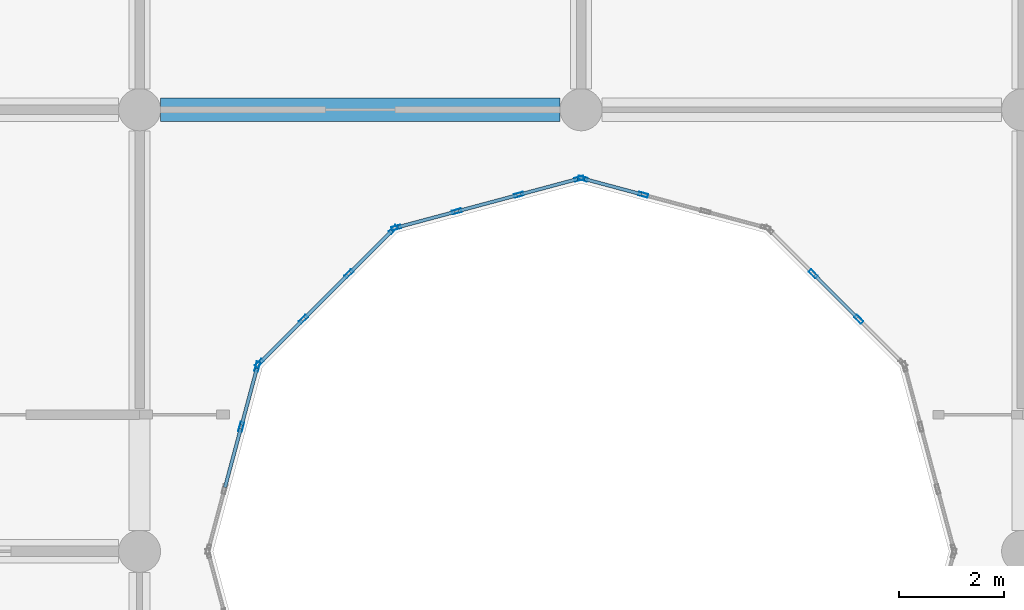
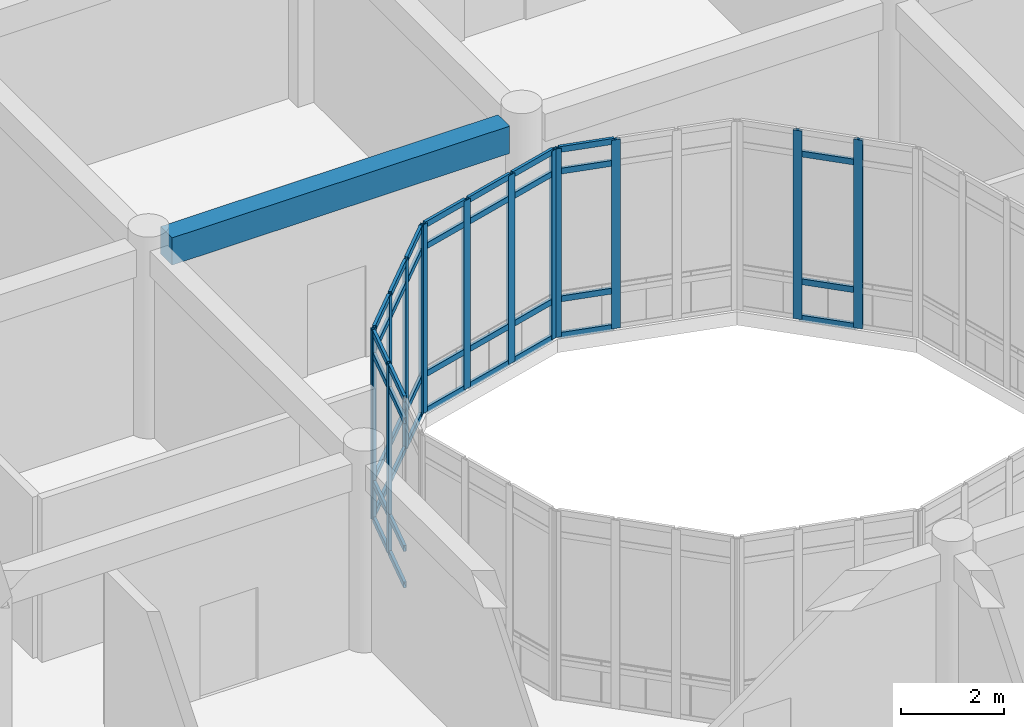
# One storey, part 39 of 138: 53 members, 1 beam, 5 elements without a shape of their own.
"""IFC4 building model written with IfcOpenShell, lengths in metres."""

from ifc_helpers import new_model, si_unit, direction, frame, origin, origin_2d, place, context, subcontext, project, spatial, rectangle, hollow_rectangle, extrude, material, layer, layer_set, material_profile, profile_set, type_object, element, aggregate, save


model = new_model("IFC4")

# Units and contexts
model_context = context("Model", 3, precision=1e-05, world=origin(), true_north=direction((0.0, 1.0)))
body_context = subcontext(model_context, "Body", "Model", "MODEL_VIEW")
ifc_project = project(units=[si_unit("LENGTHUNIT", "METRE"), si_unit("AREAUNIT", "SQUARE_METRE"), si_unit("VOLUMEUNIT", "CUBIC_METRE"), si_unit("PLANEANGLEUNIT", "RADIAN"), si_unit("MASSUNIT", "GRAM", prefix="KILO")], contexts=[model_context])

# Site, building, storey
site_placement = place(None, origin())
site = spatial("IfcSite", under=ifc_project, at=site_placement, CompositionType="ELEMENT")
building_placement = place(site_placement, origin())
building = spatial("IfcBuilding", under=site, at=building_placement, Name="Bramfleet General Hospital", CompositionType="ELEMENT")
storey_placement = place(building_placement, origin())
storey = spatial("IfcBuildingStorey", under=building, at=storey_placement, Name="L00", CompositionType="ELEMENT", Elevation=0.0)

# Beam
ifc_material_1 = material(Name="Concrete C35/45", Category="concrete")
ifc_material_profile_1 = material_profile(ifc_material_1, rectangle(XDim=0.449951171875, YDim=0.64990234375, at=origin_2d()), Name="RC BM 650x450")
ifc_profile_set_1 = profile_set([ifc_material_profile_1], Name="Concrete C35/45")
beam_type = type_object("IfcBeamType", Name="BM-RC650", PredefinedType="BEAM", material=ifc_profile_set_1)
beam_placement = place(storey_placement, frame((76.0, 84.0, 4.175048828125), z_axis=(1.0, 0.0, 0.0), x_axis=(0.0, 1.0, 0.0)))
element("IfcBeam", 1, at=beam_placement, inside=storey, type_object=beam_type, Name="L00 Grid Beam X 09-10", PredefinedType="BEAM", context=body_context, shape_type="SweptSolid", body=[
    extrude(rectangle(XDim=0.449951171875, YDim=0.64990234375, at=origin_2d()), origin(), (0.0, 0.0, 1.0), 7.60009765625),
])

# Curtain wall, members
ifc_material_2 = material(Name="Anodised aluminium and low-E triple glazing", Category="aluminium")
ifc_layer_1 = layer(ifc_material_2, 0.179931640625, Name="CWT-CW-16")
ifc_layer_set_1 = layer_set([ifc_layer_1], Name="Anodised aluminium and low-E triple glazing")
curtain_wall_type_1 = type_object("IfcCurtainWallType", Name="CWT-CW-16", PredefinedType="USERDEFINED", material=ifc_layer_set_1)
curtain_wall_1_placement = place(storey_placement, origin())
curtain_wall_1 = element("IfcCurtainWall", 2, at=curtain_wall_1_placement, inside=storey, type_object=curtain_wall_type_1, Name="L00 Central Diagnostic Light Court Curtain Wall 8.1", ObjectType="Stick curtain wall", PredefinedType="USERDEFINED")
ifc_material_3 = material(Name="Anodised aluminium EN AW-6060", Category="aluminium")
ifc_material_profile_2 = material_profile(ifc_material_3, hollow_rectangle(XDim=0.070068359375, YDim=0.179931640625, WallThickness=0.00390625, at=origin_2d()), Name="ALU 180x70x4.0")
ifc_profile_set_2 = profile_set([ifc_material_profile_2], Name="Anodised aluminium EN AW-6060")
member_type_1 = type_object("IfcMemberType", Name="CWM-ALU180", PredefinedType="MULLION", material=ifc_profile_set_2)
member_1_placement = place(storey_placement, frame((89.28271484375, 80.016357421875, 0.0), z_axis=(0.0, 0.0, 1.0), x_axis=(-0.707106781187, -0.707106781187, 0.0)))
member_1 = element("IfcMember", 3, at=member_1_placement, type_object=member_type_1, Name="CW-16 mullion 2", PredefinedType="MULLION", context=body_context, shape_type="SweptSolid", body=[
    extrude(hollow_rectangle(XDim=0.070068359375, YDim=0.179931640625, WallThickness=0.00390625, at=origin_2d()), origin(), (0.0, 0.0, 1.0), 4.489990234375),
])
member_2_placement = place(storey_placement, frame((88.416259765625, 80.882568359375, 0.0), z_axis=(0.0, 0.0, 1.0), x_axis=(-0.707106781187, -0.707106781187, 0.0)))
member_2 = element("IfcMember", 4, at=member_2_placement, type_object=member_type_1, Name="CW-16 mullion 3", PredefinedType="MULLION", context=body_context, shape_type="SweptSolid", body=[
    extrude(hollow_rectangle(XDim=0.070068359375, YDim=0.179931640625, WallThickness=0.00390625, at=origin_2d()), origin(), (0.0, 0.0, 1.0), 4.489990234375),
])

ifc_layer_2 = layer(ifc_material_2, 0.179931640625, Name="CWT-CW-17")
ifc_layer_set_2 = layer_set([ifc_layer_2], Name="Anodised aluminium and low-E triple glazing")
curtain_wall_type_2 = type_object("IfcCurtainWallType", Name="CWT-CW-17", PredefinedType="USERDEFINED", material=ifc_layer_set_2)
curtain_wall_2_placement = place(storey_placement, origin())
curtain_wall_2 = element("IfcCurtainWall", 5, at=curtain_wall_2_placement, inside=storey, type_object=curtain_wall_type_2, Name="L00 Central Diagnostic Light Court Curtain Wall 9.1", ObjectType="Stick curtain wall", PredefinedType="USERDEFINED")
member_3_placement = place(storey_placement, frame((85.183349609375, 82.383056640625, 0.0), z_axis=(0.0, 0.0, 1.0), x_axis=(-0.258763286618, -0.965940765005, 0.0)))
member_3 = element("IfcMember", 6, at=member_3_placement, type_object=member_type_1, Name="CW-17 mullion 3", PredefinedType="MULLION", context=body_context, shape_type="SweptSolid", body=[
    extrude(hollow_rectangle(XDim=0.070068359375, YDim=0.179931640625, WallThickness=0.00390625, at=origin_2d()), origin(), (0.0, 0.0, 1.0), 4.489990234375),
])
member_4_placement = place(storey_placement, frame((84.03369140625, 82.69091796875, 0.0), z_axis=(0.0, 0.0, 1.0), x_axis=(-0.258763286618, -0.965940765005, 0.0)))
member_4 = element("IfcMember", 7, at=member_4_placement, type_object=member_type_1, Name="CW-17 mullion 4", PredefinedType="MULLION", context=body_context, shape_type="SweptSolid", body=[
    extrude(hollow_rectangle(XDim=0.070068359375, YDim=0.179931640625, WallThickness=0.00390625, at=origin_2d()), origin(), (0.0, 0.0, 1.0), 4.489990234375),
])

ifc_layer_3 = layer(ifc_material_2, 0.179931640625, Name="CWT-CW-18")
ifc_layer_set_3 = layer_set([ifc_layer_3], Name="Anodised aluminium and low-E triple glazing")
curtain_wall_type_3 = type_object("IfcCurtainWallType", Name="CWT-CW-18", PredefinedType="USERDEFINED", material=ifc_layer_set_3)
curtain_wall_3_placement = place(storey_placement, origin())
curtain_wall_3 = element("IfcCurtainWall", 8, at=curtain_wall_3_placement, inside=storey, type_object=curtain_wall_type_3, Name="L00 Central Diagnostic Light Court Curtain Wall 10.1", ObjectType="Stick curtain wall", PredefinedType="USERDEFINED")
member_5_placement = place(storey_placement, frame((83.96630859375, 82.69091796875, 0.0), z_axis=(0.0, 0.0, 1.0), x_axis=(0.258763286618, -0.965940765005, 0.0)))
member_5 = element("IfcMember", 9, at=member_5_placement, type_object=member_type_1, Name="CW-18 mullion 1", PredefinedType="MULLION", context=body_context, shape_type="SweptSolid", body=[
    extrude(hollow_rectangle(XDim=0.070068359375, YDim=0.179931640625, WallThickness=0.00390625, at=origin_2d()), origin(), (0.0, 0.0, 1.0), 4.489990234375),
])
member_6_placement = place(storey_placement, frame((82.816650390625, 82.383056640625, 0.0), z_axis=(0.0, 0.0, 1.0), x_axis=(0.258763286618, -0.965940765005, 0.0)))
member_6 = element("IfcMember", 10, at=member_6_placement, type_object=member_type_1, Name="CW-18 mullion 2", PredefinedType="MULLION", context=body_context, shape_type="SweptSolid", body=[
    extrude(hollow_rectangle(XDim=0.070068359375, YDim=0.179931640625, WallThickness=0.00390625, at=origin_2d()), origin(), (0.0, 0.0, 1.0), 4.489990234375),
])
member_7_placement = place(storey_placement, frame((81.63330078125, 82.06591796875, 0.0), z_axis=(0.0, 0.0, 1.0), x_axis=(0.258763286618, -0.965940765005, 0.0)))
member_7 = element("IfcMember", 11, at=member_7_placement, type_object=member_type_1, Name="CW-18 mullion 3", PredefinedType="MULLION", context=body_context, shape_type="SweptSolid", body=[
    extrude(hollow_rectangle(XDim=0.070068359375, YDim=0.179931640625, WallThickness=0.00390625, at=origin_2d()), origin(), (0.0, 0.0, 1.0), 4.489990234375),
])
member_8_placement = place(storey_placement, frame((80.48388671875, 81.758056640625, 0.0), z_axis=(0.0, 0.0, 1.0), x_axis=(0.258763286618, -0.965940765005, 0.0)))
member_8 = element("IfcMember", 12, at=member_8_placement, type_object=member_type_1, Name="CW-18 mullion 4", PredefinedType="MULLION", context=body_context, shape_type="SweptSolid", body=[
    extrude(hollow_rectangle(XDim=0.070068359375, YDim=0.179931640625, WallThickness=0.00390625, at=origin_2d()), origin(), (0.0, 0.0, 1.0), 4.489990234375),
])

ifc_layer_4 = layer(ifc_material_2, 0.179931640625, Name="CWT-CW-11")
ifc_layer_set_4 = layer_set([ifc_layer_4], Name="Anodised aluminium and low-E triple glazing")
curtain_wall_type_4 = type_object("IfcCurtainWallType", Name="CWT-CW-11", PredefinedType="USERDEFINED", material=ifc_layer_set_4)
curtain_wall_4_placement = place(storey_placement, origin())
curtain_wall_4 = element("IfcCurtainWall", 13, at=curtain_wall_4_placement, inside=storey, type_object=curtain_wall_type_4, Name="L00 Central Diagnostic Light Court Curtain Wall 11.1", ObjectType="Stick curtain wall", PredefinedType="USERDEFINED")
member_9_placement = place(storey_placement, frame((80.42529296875, 81.724365234375, 0.0), z_axis=(0.0, 0.0, 1.0), x_axis=(0.707106781187, -0.707106781187, 0.0)))
member_9 = element("IfcMember", 14, at=member_9_placement, type_object=member_type_1, Name="CW-11 mullion 1", PredefinedType="MULLION", context=body_context, shape_type="SweptSolid", body=[
    extrude(hollow_rectangle(XDim=0.070068359375, YDim=0.179931640625, WallThickness=0.00390625, at=origin_2d()), origin(), (0.0, 0.0, 1.0), 4.489990234375),
])
member_10_placement = place(storey_placement, frame((79.583740234375, 80.882568359375, 0.0), z_axis=(0.0, 0.0, 1.0), x_axis=(0.707106781187, -0.707106781187, 0.0)))
member_10 = element("IfcMember", 15, at=member_10_placement, type_object=member_type_1, Name="CW-11 mullion 2", PredefinedType="MULLION", context=body_context, shape_type="SweptSolid", body=[
    extrude(hollow_rectangle(XDim=0.070068359375, YDim=0.179931640625, WallThickness=0.00390625, at=origin_2d()), origin(), (0.0, 0.0, 1.0), 4.489990234375),
])
member_11_placement = place(storey_placement, frame((78.71728515625, 80.016357421875, 0.0), z_axis=(0.0, 0.0, 1.0), x_axis=(0.707106781187, -0.707106781187, 0.0)))
member_11 = element("IfcMember", 16, at=member_11_placement, type_object=member_type_1, Name="CW-11 mullion 3", PredefinedType="MULLION", context=body_context, shape_type="SweptSolid", body=[
    extrude(hollow_rectangle(XDim=0.070068359375, YDim=0.179931640625, WallThickness=0.00390625, at=origin_2d()), origin(), (0.0, 0.0, 1.0), 4.489990234375),
])
member_12_placement = place(storey_placement, frame((77.875732421875, 79.1748046875, 0.0), z_axis=(0.0, 0.0, 1.0), x_axis=(0.707106781187, -0.707106781187, 0.0)))
member_12 = element("IfcMember", 17, at=member_12_placement, type_object=member_type_1, Name="CW-11 mullion 4", PredefinedType="MULLION", context=body_context, shape_type="SweptSolid", body=[
    extrude(hollow_rectangle(XDim=0.070068359375, YDim=0.179931640625, WallThickness=0.00390625, at=origin_2d()), origin(), (0.0, 0.0, 1.0), 4.489990234375),
])

ifc_layer_5 = layer(ifc_material_2, 0.179931640625, Name="CWT-CW-12")
ifc_layer_set_5 = layer_set([ifc_layer_5], Name="Anodised aluminium and low-E triple glazing")
curtain_wall_type_5 = type_object("IfcCurtainWallType", Name="CWT-CW-12", PredefinedType="USERDEFINED", material=ifc_layer_set_5)
curtain_wall_5_placement = place(storey_placement, origin())
curtain_wall_5 = element("IfcCurtainWall", 18, at=curtain_wall_5_placement, inside=storey, type_object=curtain_wall_type_5, Name="L00 Central Diagnostic Light Court Curtain Wall 12.1", ObjectType="Stick curtain wall", PredefinedType="USERDEFINED")
member_13_placement = place(storey_placement, frame((77.842041015625, 79.1162109375, 0.0), z_axis=(0.0, 0.0, 1.0), x_axis=(0.965940765005, -0.258763286618, 0.0)))
member_13 = element("IfcMember", 19, at=member_13_placement, type_object=member_type_1, Name="CW-12 mullion 1", PredefinedType="MULLION", context=body_context, shape_type="SweptSolid", body=[
    extrude(hollow_rectangle(XDim=0.070068359375, YDim=0.179931640625, WallThickness=0.00390625, at=origin_2d()), origin(), (0.0, 0.0, 1.0), 4.489990234375),
])
member_14_placement = place(storey_placement, frame((77.533935546875, 77.966552734375, 0.0), z_axis=(0.0, 0.0, 1.0), x_axis=(0.965940765005, -0.258763286618, 0.0)))
member_14 = element("IfcMember", 20, at=member_14_placement, type_object=member_type_1, Name="CW-12 mullion 2", PredefinedType="MULLION", context=body_context, shape_type="SweptSolid", body=[
    extrude(hollow_rectangle(XDim=0.070068359375, YDim=0.179931640625, WallThickness=0.00390625, at=origin_2d()), origin(), (0.0, 0.0, 1.0), 4.489990234375),
])

# Member
ifc_material_profile_3 = material_profile(ifc_material_3, hollow_rectangle(XDim=0.06494140625, YDim=0.139892578125, WallThickness=0.00390625, at=origin_2d()), Name="ALU 140x65x4.0")
ifc_profile_set_3 = profile_set([ifc_material_profile_3], Name="Anodised aluminium EN AW-6060")
member_type_2 = type_object("IfcMemberType", Name="CWT-ALU140", PredefinedType="USERDEFINED", material=ifc_profile_set_3)
member_15_placement = place(storey_placement, frame((89.2578125, 80.041015625, 0.032470703125), z_axis=(-0.707001093006, 0.707212453572, 0.0), x_axis=(-0.707212453572, -0.707001093006, 0.0)))
member_15 = element("IfcMember", 21, at=member_15_placement, type_object=member_type_2, Name="CW-16 transom 2.1", ObjectType="TRANSOM", PredefinedType="USERDEFINED", context=body_context, shape_type="SweptSolid", body=[
    extrude(hollow_rectangle(XDim=0.06494140625, YDim=0.139892578125, WallThickness=0.00390625, at=origin_2d()), origin(), (0.0, 0.0, 1.0), 1.155029296875),
])

member_16_placement = place(storey_placement, frame((89.2578125, 80.041015625, 0.89990234375), z_axis=(-0.707001093006, 0.707212453572, 0.0), x_axis=(-0.707212453572, -0.707001093006, 0.0)))
member_16 = element("IfcMember", 22, at=member_16_placement, type_object=member_type_2, Name="CW-16 transom 2.2", ObjectType="TRANSOM", PredefinedType="USERDEFINED", context=body_context, shape_type="SweptSolid", body=[
    extrude(hollow_rectangle(XDim=0.06494140625, YDim=0.139892578125, WallThickness=0.00390625, at=origin_2d()), origin(), (0.0, 0.0, 1.0), 1.155029296875),
])

member_17_placement = place(storey_placement, frame((89.2578125, 80.041015625, 3.93994140625), z_axis=(-0.707001093006, 0.707212453572, 0.0), x_axis=(-0.707212453572, -0.707001093006, 0.0)))
member_17 = element("IfcMember", 23, at=member_17_placement, type_object=member_type_2, Name="CW-16 transom 2.3", ObjectType="TRANSOM", PredefinedType="USERDEFINED", context=body_context, shape_type="SweptSolid", body=[
    extrude(hollow_rectangle(XDim=0.06494140625, YDim=0.139892578125, WallThickness=0.00390625, at=origin_2d()), origin(), (0.0, 0.0, 1.0), 1.155029296875),
])

aggregate(curtain_wall_1, [member_1, member_2, member_15, member_16, member_17])

member_18_placement = place(storey_placement, frame((85.1494140625, 82.39208984375, 0.032470703125), z_axis=(-0.965941240814, 0.258761510459, 0.0), x_axis=(-0.258761510459, -0.965941240814, 0.0)))
member_18 = element("IfcMember", 24, at=member_18_placement, type_object=member_type_2, Name="CW-17 transom 3.1", ObjectType="TRANSOM", PredefinedType="USERDEFINED", context=body_context, shape_type="SweptSolid", body=[
    extrude(hollow_rectangle(XDim=0.06494140625, YDim=0.139892578125, WallThickness=0.00390625, at=origin_2d()), origin(), (0.0, 0.0, 1.0), 1.119873046875),
])

member_19_placement = place(storey_placement, frame((85.1494140625, 82.39208984375, 0.89990234375), z_axis=(-0.965941240814, 0.258761510459, 0.0), x_axis=(-0.258761510459, -0.965941240814, 0.0)))
member_19 = element("IfcMember", 25, at=member_19_placement, type_object=member_type_2, Name="CW-17 transom 3.2", ObjectType="TRANSOM", PredefinedType="USERDEFINED", context=body_context, shape_type="SweptSolid", body=[
    extrude(hollow_rectangle(XDim=0.06494140625, YDim=0.139892578125, WallThickness=0.00390625, at=origin_2d()), origin(), (0.0, 0.0, 1.0), 1.119873046875),
])

member_20_placement = place(storey_placement, frame((85.1494140625, 82.39208984375, 3.93994140625), z_axis=(-0.965941240814, 0.258761510459, 0.0), x_axis=(-0.258761510459, -0.965941240814, 0.0)))
member_20 = element("IfcMember", 26, at=member_20_placement, type_object=member_type_2, Name="CW-17 transom 3.3", ObjectType="TRANSOM", PredefinedType="USERDEFINED", context=body_context, shape_type="SweptSolid", body=[
    extrude(hollow_rectangle(XDim=0.06494140625, YDim=0.139892578125, WallThickness=0.00390625, at=origin_2d()), origin(), (0.0, 0.0, 1.0), 1.119873046875),
])

member_21_placement = place(storey_placement, frame((85.1494140625, 82.39208984375, 4.45751953125), z_axis=(-0.965941240814, 0.258761510459, 0.0), x_axis=(-0.258761510459, -0.965941240814, 0.0)))
member_21 = element("IfcMember", 27, at=member_21_placement, type_object=member_type_2, Name="CW-17 transom 3.4", ObjectType="TRANSOM", PredefinedType="USERDEFINED", context=body_context, shape_type="SweptSolid", body=[
    extrude(hollow_rectangle(XDim=0.06494140625, YDim=0.139892578125, WallThickness=0.00390625, at=origin_2d()), origin(), (0.0, 0.0, 1.0), 1.119873046875),
])

aggregate(curtain_wall_2, [member_3, member_4, member_18, member_19, member_20, member_21])

member_22_placement = place(storey_placement, frame((83.932373046875, 82.681884765625, 0.032470703125), z_axis=(-0.965941240814, -0.258761510459, 0.0), x_axis=(0.258761510459, -0.965941240814, 0.0)))
member_22 = element("IfcMember", 28, at=member_22_placement, type_object=member_type_2, Name="CW-18 transom 1.1", ObjectType="TRANSOM", PredefinedType="USERDEFINED", context=body_context, shape_type="SweptSolid", body=[
    extrude(hollow_rectangle(XDim=0.06494140625, YDim=0.139892578125, WallThickness=0.00390625, at=origin_2d()), origin(), (0.0, 0.0, 1.0), 1.119873046875),
])

member_23_placement = place(storey_placement, frame((83.932373046875, 82.681884765625, 0.89990234375), z_axis=(-0.965941240814, -0.258761510459, 0.0), x_axis=(0.258761510459, -0.965941240814, 0.0)))
member_23 = element("IfcMember", 29, at=member_23_placement, type_object=member_type_2, Name="CW-18 transom 1.2", ObjectType="TRANSOM", PredefinedType="USERDEFINED", context=body_context, shape_type="SweptSolid", body=[
    extrude(hollow_rectangle(XDim=0.06494140625, YDim=0.139892578125, WallThickness=0.00390625, at=origin_2d()), origin(), (0.0, 0.0, 1.0), 1.119873046875),
])

member_24_placement = place(storey_placement, frame((83.932373046875, 82.681884765625, 3.93994140625), z_axis=(-0.965941240814, -0.258761510459, 0.0), x_axis=(0.258761510459, -0.965941240814, 0.0)))
member_24 = element("IfcMember", 30, at=member_24_placement, type_object=member_type_2, Name="CW-18 transom 1.3", ObjectType="TRANSOM", PredefinedType="USERDEFINED", context=body_context, shape_type="SweptSolid", body=[
    extrude(hollow_rectangle(XDim=0.06494140625, YDim=0.139892578125, WallThickness=0.00390625, at=origin_2d()), origin(), (0.0, 0.0, 1.0), 1.119873046875),
])

member_25_placement = place(storey_placement, frame((83.932373046875, 82.681884765625, 4.45751953125), z_axis=(-0.965941240814, -0.258761510459, 0.0), x_axis=(0.258761510459, -0.965941240814, 0.0)))
member_25 = element("IfcMember", 31, at=member_25_placement, type_object=member_type_2, Name="CW-18 transom 1.4", ObjectType="TRANSOM", PredefinedType="USERDEFINED", context=body_context, shape_type="SweptSolid", body=[
    extrude(hollow_rectangle(XDim=0.06494140625, YDim=0.139892578125, WallThickness=0.00390625, at=origin_2d()), origin(), (0.0, 0.0, 1.0), 1.119873046875),
])

member_26_placement = place(storey_placement, frame((82.782958984375, 82.3740234375, 0.032470703125), z_axis=(-0.96590087162, -0.258912159242, 0.0), x_axis=(0.258912159242, -0.96590087162, 0.0)))
member_26 = element("IfcMember", 32, at=member_26_placement, type_object=member_type_2, Name="CW-18 transom 2.1", ObjectType="TRANSOM", PredefinedType="USERDEFINED", context=body_context, shape_type="SweptSolid", body=[
    extrude(hollow_rectangle(XDim=0.06494140625, YDim=0.139892578125, WallThickness=0.00390625, at=origin_2d()), origin(), (0.0, 0.0, 1.0), 1.155029296875),
])

member_27_placement = place(storey_placement, frame((82.782958984375, 82.3740234375, 0.89990234375), z_axis=(-0.96590087162, -0.258912159242, 0.0), x_axis=(0.258912159242, -0.96590087162, 0.0)))
member_27 = element("IfcMember", 33, at=member_27_placement, type_object=member_type_2, Name="CW-18 transom 2.2", ObjectType="TRANSOM", PredefinedType="USERDEFINED", context=body_context, shape_type="SweptSolid", body=[
    extrude(hollow_rectangle(XDim=0.06494140625, YDim=0.139892578125, WallThickness=0.00390625, at=origin_2d()), origin(), (0.0, 0.0, 1.0), 1.155029296875),
])

member_28_placement = place(storey_placement, frame((82.782958984375, 82.3740234375, 3.93994140625), z_axis=(-0.96590087162, -0.258912159242, 0.0), x_axis=(0.258912159242, -0.96590087162, 0.0)))
member_28 = element("IfcMember", 34, at=member_28_placement, type_object=member_type_2, Name="CW-18 transom 2.3", ObjectType="TRANSOM", PredefinedType="USERDEFINED", context=body_context, shape_type="SweptSolid", body=[
    extrude(hollow_rectangle(XDim=0.06494140625, YDim=0.139892578125, WallThickness=0.00390625, at=origin_2d()), origin(), (0.0, 0.0, 1.0), 1.155029296875),
])

member_29_placement = place(storey_placement, frame((82.782958984375, 82.3740234375, 4.45751953125), z_axis=(-0.96590087162, -0.258912159242, 0.0), x_axis=(0.258912159242, -0.96590087162, 0.0)))
member_29 = element("IfcMember", 35, at=member_29_placement, type_object=member_type_2, Name="CW-18 transom 2.4", ObjectType="TRANSOM", PredefinedType="USERDEFINED", context=body_context, shape_type="SweptSolid", body=[
    extrude(hollow_rectangle(XDim=0.06494140625, YDim=0.139892578125, WallThickness=0.00390625, at=origin_2d()), origin(), (0.0, 0.0, 1.0), 1.155029296875),
])

member_30_placement = place(storey_placement, frame((81.599609375, 82.056884765625, 0.032470703125), z_axis=(-0.965955832691, -0.25870703371, 0.0), x_axis=(0.25870703371, -0.965955832691, 0.0)))
member_30 = element("IfcMember", 36, at=member_30_placement, type_object=member_type_2, Name="CW-18 transom 3.1", ObjectType="TRANSOM", PredefinedType="USERDEFINED", context=body_context, shape_type="SweptSolid", body=[
    extrude(hollow_rectangle(XDim=0.06494140625, YDim=0.139892578125, WallThickness=0.00390625, at=origin_2d()), origin(), (0.0, 0.0, 1.0), 1.1201171875),
])

member_31_placement = place(storey_placement, frame((81.599609375, 82.056884765625, 0.89990234375), z_axis=(-0.965955832691, -0.25870703371, 0.0), x_axis=(0.25870703371, -0.965955832691, 0.0)))
member_31 = element("IfcMember", 37, at=member_31_placement, type_object=member_type_2, Name="CW-18 transom 3.2", ObjectType="TRANSOM", PredefinedType="USERDEFINED", context=body_context, shape_type="SweptSolid", body=[
    extrude(hollow_rectangle(XDim=0.06494140625, YDim=0.139892578125, WallThickness=0.00390625, at=origin_2d()), origin(), (0.0, 0.0, 1.0), 1.1201171875),
])

member_32_placement = place(storey_placement, frame((81.599609375, 82.056884765625, 3.93994140625), z_axis=(-0.965955832691, -0.25870703371, 0.0), x_axis=(0.25870703371, -0.965955832691, 0.0)))
member_32 = element("IfcMember", 38, at=member_32_placement, type_object=member_type_2, Name="CW-18 transom 3.3", ObjectType="TRANSOM", PredefinedType="USERDEFINED", context=body_context, shape_type="SweptSolid", body=[
    extrude(hollow_rectangle(XDim=0.06494140625, YDim=0.139892578125, WallThickness=0.00390625, at=origin_2d()), origin(), (0.0, 0.0, 1.0), 1.1201171875),
])

member_33_placement = place(storey_placement, frame((81.599609375, 82.056884765625, 4.45751953125), z_axis=(-0.965955832691, -0.25870703371, 0.0), x_axis=(0.25870703371, -0.965955832691, 0.0)))
member_33 = element("IfcMember", 39, at=member_33_placement, type_object=member_type_2, Name="CW-18 transom 3.4", ObjectType="TRANSOM", PredefinedType="USERDEFINED", context=body_context, shape_type="SweptSolid", body=[
    extrude(hollow_rectangle(XDim=0.06494140625, YDim=0.139892578125, WallThickness=0.00390625, at=origin_2d()), origin(), (0.0, 0.0, 1.0), 1.1201171875),
])

aggregate(curtain_wall_3, [member_5, member_6, member_7, member_8, member_22, member_23, member_24, member_25, member_26, member_27, member_28, member_29, member_30, member_31, member_32, member_33])

member_34_placement = place(storey_placement, frame((80.400390625, 81.699462890625, 0.032470703125), z_axis=(-0.707106781187, -0.707106781187, 0.0), x_axis=(0.707106781187, -0.707106781187, 0.0)))
member_34 = element("IfcMember", 40, at=member_34_placement, type_object=member_type_2, Name="CW-11 transom 1.1", ObjectType="TRANSOM", PredefinedType="USERDEFINED", context=body_context, shape_type="SweptSolid", body=[
    extrude(hollow_rectangle(XDim=0.06494140625, YDim=0.139892578125, WallThickness=0.00390625, at=origin_2d()), origin(), (0.0, 0.0, 1.0), 1.1201171875),
])

member_35_placement = place(storey_placement, frame((80.400390625, 81.699462890625, 0.89990234375), z_axis=(-0.707106781187, -0.707106781187, 0.0), x_axis=(0.707106781187, -0.707106781187, 0.0)))
member_35 = element("IfcMember", 41, at=member_35_placement, type_object=member_type_2, Name="CW-11 transom 1.2", ObjectType="TRANSOM", PredefinedType="USERDEFINED", context=body_context, shape_type="SweptSolid", body=[
    extrude(hollow_rectangle(XDim=0.06494140625, YDim=0.139892578125, WallThickness=0.00390625, at=origin_2d()), origin(), (0.0, 0.0, 1.0), 1.1201171875),
])

member_36_placement = place(storey_placement, frame((80.400390625, 81.699462890625, 3.93994140625), z_axis=(-0.707106781187, -0.707106781187, 0.0), x_axis=(0.707106781187, -0.707106781187, 0.0)))
member_36 = element("IfcMember", 42, at=member_36_placement, type_object=member_type_2, Name="CW-11 transom 1.3", ObjectType="TRANSOM", PredefinedType="USERDEFINED", context=body_context, shape_type="SweptSolid", body=[
    extrude(hollow_rectangle(XDim=0.06494140625, YDim=0.139892578125, WallThickness=0.00390625, at=origin_2d()), origin(), (0.0, 0.0, 1.0), 1.1201171875),
])

member_37_placement = place(storey_placement, frame((80.400390625, 81.699462890625, 4.45751953125), z_axis=(-0.707106781187, -0.707106781187, 0.0), x_axis=(0.707106781187, -0.707106781187, 0.0)))
member_37 = element("IfcMember", 43, at=member_37_placement, type_object=member_type_2, Name="CW-11 transom 1.4", ObjectType="TRANSOM", PredefinedType="USERDEFINED", context=body_context, shape_type="SweptSolid", body=[
    extrude(hollow_rectangle(XDim=0.06494140625, YDim=0.139892578125, WallThickness=0.00390625, at=origin_2d()), origin(), (0.0, 0.0, 1.0), 1.1201171875),
])

member_38_placement = place(storey_placement, frame((79.558837890625, 80.85791015625, 0.032470703125), z_axis=(-0.707001093006, -0.707212453572, 0.0), x_axis=(0.707212453572, -0.707001093006, 0.0)))
member_38 = element("IfcMember", 44, at=member_38_placement, type_object=member_type_2, Name="CW-11 transom 2.1", ObjectType="TRANSOM", PredefinedType="USERDEFINED", context=body_context, shape_type="SweptSolid", body=[
    extrude(hollow_rectangle(XDim=0.06494140625, YDim=0.139892578125, WallThickness=0.00390625, at=origin_2d()), origin(), (0.0, 0.0, 1.0), 1.155029296875),
])

member_39_placement = place(storey_placement, frame((79.558837890625, 80.85791015625, 0.89990234375), z_axis=(-0.707001093006, -0.707212453572, 0.0), x_axis=(0.707212453572, -0.707001093006, 0.0)))
member_39 = element("IfcMember", 45, at=member_39_placement, type_object=member_type_2, Name="CW-11 transom 2.2", ObjectType="TRANSOM", PredefinedType="USERDEFINED", context=body_context, shape_type="SweptSolid", body=[
    extrude(hollow_rectangle(XDim=0.06494140625, YDim=0.139892578125, WallThickness=0.00390625, at=origin_2d()), origin(), (0.0, 0.0, 1.0), 1.155029296875),
])

member_40_placement = place(storey_placement, frame((79.558837890625, 80.85791015625, 3.93994140625), z_axis=(-0.707001093006, -0.707212453572, 0.0), x_axis=(0.707212453572, -0.707001093006, 0.0)))
member_40 = element("IfcMember", 46, at=member_40_placement, type_object=member_type_2, Name="CW-11 transom 2.3", ObjectType="TRANSOM", PredefinedType="USERDEFINED", context=body_context, shape_type="SweptSolid", body=[
    extrude(hollow_rectangle(XDim=0.06494140625, YDim=0.139892578125, WallThickness=0.00390625, at=origin_2d()), origin(), (0.0, 0.0, 1.0), 1.155029296875),
])

member_41_placement = place(storey_placement, frame((79.558837890625, 80.85791015625, 4.45751953125), z_axis=(-0.707001093006, -0.707212453572, 0.0), x_axis=(0.707212453572, -0.707001093006, 0.0)))
member_41 = element("IfcMember", 47, at=member_41_placement, type_object=member_type_2, Name="CW-11 transom 2.4", ObjectType="TRANSOM", PredefinedType="USERDEFINED", context=body_context, shape_type="SweptSolid", body=[
    extrude(hollow_rectangle(XDim=0.06494140625, YDim=0.139892578125, WallThickness=0.00390625, at=origin_2d()), origin(), (0.0, 0.0, 1.0), 1.155029296875),
])

member_42_placement = place(storey_placement, frame((78.692626953125, 79.99169921875, 0.032470703125), z_axis=(-0.707106781187, -0.707106781187, 0.0), x_axis=(0.707106781187, -0.707106781187, 0.0)))
member_42 = element("IfcMember", 48, at=member_42_placement, type_object=member_type_2, Name="CW-11 transom 3.1", ObjectType="TRANSOM", PredefinedType="USERDEFINED", context=body_context, shape_type="SweptSolid", body=[
    extrude(hollow_rectangle(XDim=0.06494140625, YDim=0.139892578125, WallThickness=0.00390625, at=origin_2d()), origin(), (0.0, 0.0, 1.0), 1.120361328125),
])

member_43_placement = place(storey_placement, frame((78.692626953125, 79.99169921875, 0.89990234375), z_axis=(-0.707106781187, -0.707106781187, 0.0), x_axis=(0.707106781187, -0.707106781187, 0.0)))
member_43 = element("IfcMember", 49, at=member_43_placement, type_object=member_type_2, Name="CW-11 transom 3.2", ObjectType="TRANSOM", PredefinedType="USERDEFINED", context=body_context, shape_type="SweptSolid", body=[
    extrude(hollow_rectangle(XDim=0.06494140625, YDim=0.139892578125, WallThickness=0.00390625, at=origin_2d()), origin(), (0.0, 0.0, 1.0), 1.120361328125),
])

member_44_placement = place(storey_placement, frame((78.692626953125, 79.99169921875, 3.93994140625), z_axis=(-0.707106781187, -0.707106781187, 0.0), x_axis=(0.707106781187, -0.707106781187, 0.0)))
member_44 = element("IfcMember", 50, at=member_44_placement, type_object=member_type_2, Name="CW-11 transom 3.3", ObjectType="TRANSOM", PredefinedType="USERDEFINED", context=body_context, shape_type="SweptSolid", body=[
    extrude(hollow_rectangle(XDim=0.06494140625, YDim=0.139892578125, WallThickness=0.00390625, at=origin_2d()), origin(), (0.0, 0.0, 1.0), 1.120361328125),
])

member_45_placement = place(storey_placement, frame((78.692626953125, 79.99169921875, 4.45751953125), z_axis=(-0.707106781187, -0.707106781187, 0.0), x_axis=(0.707106781187, -0.707106781187, 0.0)))
member_45 = element("IfcMember", 51, at=member_45_placement, type_object=member_type_2, Name="CW-11 transom 3.4", ObjectType="TRANSOM", PredefinedType="USERDEFINED", context=body_context, shape_type="SweptSolid", body=[
    extrude(hollow_rectangle(XDim=0.06494140625, YDim=0.139892578125, WallThickness=0.00390625, at=origin_2d()), origin(), (0.0, 0.0, 1.0), 1.120361328125),
])

aggregate(curtain_wall_4, [member_9, member_10, member_11, member_12, member_34, member_35, member_36, member_37, member_38, member_39, member_40, member_41, member_42, member_43, member_44, member_45])

member_46_placement = place(storey_placement, frame((77.8330078125, 79.082275390625, 0.032470703125), z_axis=(-0.258964892978, -0.965886734667, 0.0), x_axis=(0.965886734667, -0.258964892978, 0.0)))
member_46 = element("IfcMember", 52, at=member_46_placement, type_object=member_type_2, Name="CW-12 transom 1.1", ObjectType="TRANSOM", PredefinedType="USERDEFINED", context=body_context, shape_type="SweptSolid", body=[
    extrude(hollow_rectangle(XDim=0.06494140625, YDim=0.139892578125, WallThickness=0.00390625, at=origin_2d()), origin(), (0.0, 0.0, 1.0), 1.119873046875),
])

member_47_placement = place(storey_placement, frame((77.8330078125, 79.082275390625, 0.89990234375), z_axis=(-0.258964892978, -0.965886734667, 0.0), x_axis=(0.965886734667, -0.258964892978, 0.0)))
member_47 = element("IfcMember", 53, at=member_47_placement, type_object=member_type_2, Name="CW-12 transom 1.2", ObjectType="TRANSOM", PredefinedType="USERDEFINED", context=body_context, shape_type="SweptSolid", body=[
    extrude(hollow_rectangle(XDim=0.06494140625, YDim=0.139892578125, WallThickness=0.00390625, at=origin_2d()), origin(), (0.0, 0.0, 1.0), 1.119873046875),
])

member_48_placement = place(storey_placement, frame((77.8330078125, 79.082275390625, 3.93994140625), z_axis=(-0.258964892978, -0.965886734667, 0.0), x_axis=(0.965886734667, -0.258964892978, 0.0)))
member_48 = element("IfcMember", 54, at=member_48_placement, type_object=member_type_2, Name="CW-12 transom 1.3", ObjectType="TRANSOM", PredefinedType="USERDEFINED", context=body_context, shape_type="SweptSolid", body=[
    extrude(hollow_rectangle(XDim=0.06494140625, YDim=0.139892578125, WallThickness=0.00390625, at=origin_2d()), origin(), (0.0, 0.0, 1.0), 1.119873046875),
])

member_49_placement = place(storey_placement, frame((77.8330078125, 79.082275390625, 4.45751953125), z_axis=(-0.258964892978, -0.965886734667, 0.0), x_axis=(0.965886734667, -0.258964892978, 0.0)))
member_49 = element("IfcMember", 55, at=member_49_placement, type_object=member_type_2, Name="CW-12 transom 1.4", ObjectType="TRANSOM", PredefinedType="USERDEFINED", context=body_context, shape_type="SweptSolid", body=[
    extrude(hollow_rectangle(XDim=0.06494140625, YDim=0.139892578125, WallThickness=0.00390625, at=origin_2d()), origin(), (0.0, 0.0, 1.0), 1.119873046875),
])

member_50_placement = place(storey_placement, frame((77.52490234375, 77.932861328125, 0.032470703125), z_axis=(-0.258714954608, -0.965953711242, 0.0), x_axis=(0.965953711242, -0.258714954608, 0.0)))
member_50 = element("IfcMember", 56, at=member_50_placement, type_object=member_type_2, Name="CW-12 transom 2.1", ObjectType="TRANSOM", PredefinedType="USERDEFINED", context=body_context, shape_type="SweptSolid", body=[
    extrude(hollow_rectangle(XDim=0.06494140625, YDim=0.139892578125, WallThickness=0.00390625, at=origin_2d()), origin(), (0.0, 0.0, 1.0), 1.155029296875),
])

member_51_placement = place(storey_placement, frame((77.52490234375, 77.932861328125, 0.89990234375), z_axis=(-0.258714954608, -0.965953711242, 0.0), x_axis=(0.965953711242, -0.258714954608, 0.0)))
member_51 = element("IfcMember", 57, at=member_51_placement, type_object=member_type_2, Name="CW-12 transom 2.2", ObjectType="TRANSOM", PredefinedType="USERDEFINED", context=body_context, shape_type="SweptSolid", body=[
    extrude(hollow_rectangle(XDim=0.06494140625, YDim=0.139892578125, WallThickness=0.00390625, at=origin_2d()), origin(), (0.0, 0.0, 1.0), 1.155029296875),
])

member_52_placement = place(storey_placement, frame((77.52490234375, 77.932861328125, 3.93994140625), z_axis=(-0.258714954608, -0.965953711242, 0.0), x_axis=(0.965953711242, -0.258714954608, 0.0)))
member_52 = element("IfcMember", 58, at=member_52_placement, type_object=member_type_2, Name="CW-12 transom 2.3", ObjectType="TRANSOM", PredefinedType="USERDEFINED", context=body_context, shape_type="SweptSolid", body=[
    extrude(hollow_rectangle(XDim=0.06494140625, YDim=0.139892578125, WallThickness=0.00390625, at=origin_2d()), origin(), (0.0, 0.0, 1.0), 1.155029296875),
])

member_53_placement = place(storey_placement, frame((77.52490234375, 77.932861328125, 4.45751953125), z_axis=(-0.258714954608, -0.965953711242, 0.0), x_axis=(0.965953711242, -0.258714954608, 0.0)))
member_53 = element("IfcMember", 59, at=member_53_placement, type_object=member_type_2, Name="CW-12 transom 2.4", ObjectType="TRANSOM", PredefinedType="USERDEFINED", context=body_context, shape_type="SweptSolid", body=[
    extrude(hollow_rectangle(XDim=0.06494140625, YDim=0.139892578125, WallThickness=0.00390625, at=origin_2d()), origin(), (0.0, 0.0, 1.0), 1.155029296875),
])

aggregate(curtain_wall_5, [member_13, member_14, member_46, member_47, member_48, member_49, member_50, member_51, member_52, member_53])

save(model, "model.ifc")
